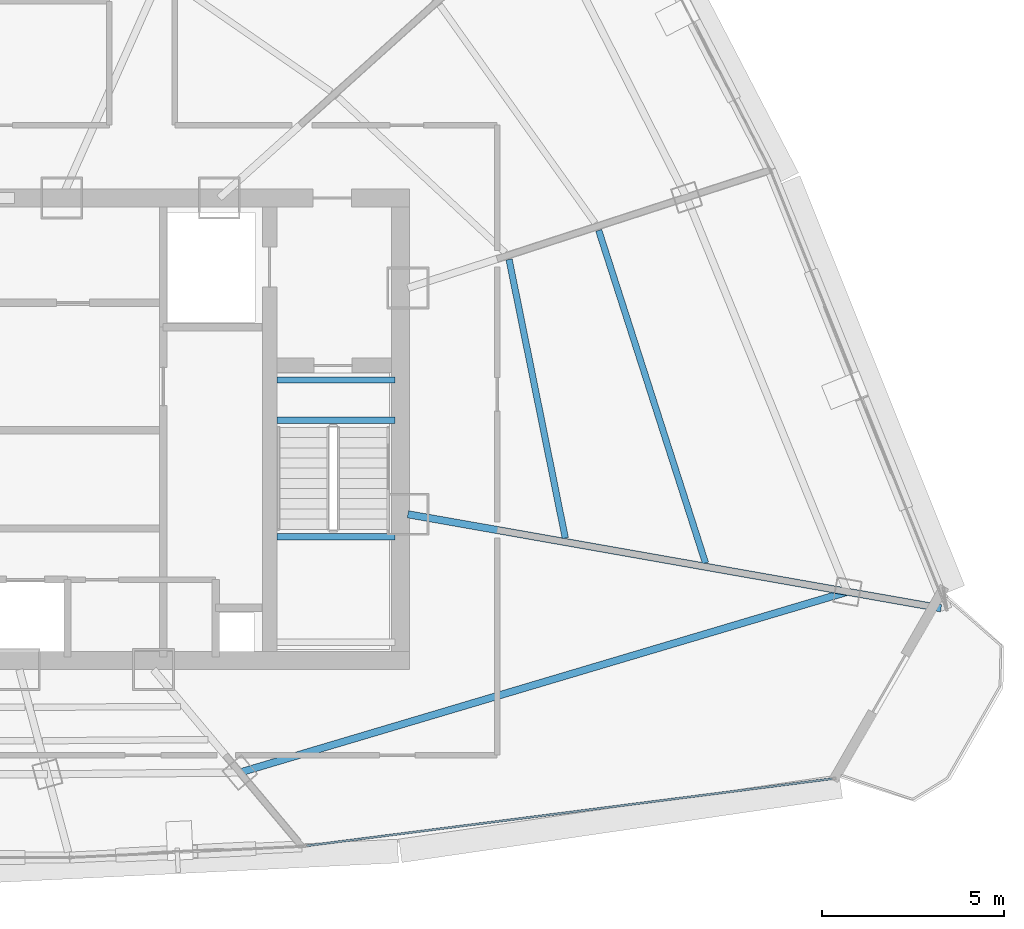
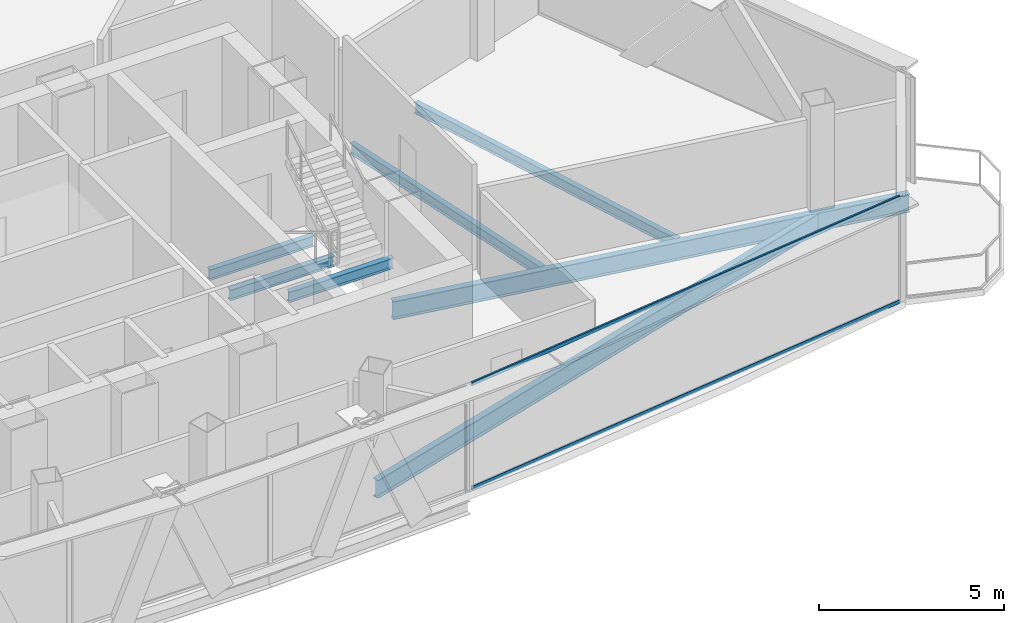
# One storey, part 12 of 30: 7 beams, 2 members, 1 element without a shape of its own.
"""IFC4 building model written with IfcOpenShell, lengths in metres."""

from ifc_helpers import new_model, si_unit, direction, frame, origin, origin_2d, place, context, subcontext, project, spatial, hollow_rectangle, i_section, extrude, source, transform, mapped, material, layer, layer_set, material_profile, profile_set, type_object, element, aggregate, save


model = new_model("IFC4")

# Units and contexts
model_context = context("Model", 3, precision=1e-05, world=origin(), true_north=direction((0.0, 1.0)))
body_context = subcontext(model_context, "Body", "Model", "MODEL_VIEW")
ifc_project = project(units=[si_unit("LENGTHUNIT", "METRE"), si_unit("AREAUNIT", "SQUARE_METRE"), si_unit("VOLUMEUNIT", "CUBIC_METRE"), si_unit("PLANEANGLEUNIT", "RADIAN"), si_unit("MASSUNIT", "GRAM", prefix="KILO"), si_unit("THERMODYNAMICTEMPERATUREUNIT", "KELVIN"), si_unit("POWERUNIT", "WATT")], contexts=[model_context])

# Site, building, storey
site_placement = place(None, origin())
site = spatial("IfcSite", under=ifc_project, at=site_placement, CompositionType="ELEMENT")
building_placement = place(site_placement, origin())
building = spatial("IfcBuilding", under=site, at=building_placement, Name="Yunzhuo Pagoda Commons", CompositionType="ELEMENT")
storey_placement = place(building_placement, frame((0.0, 0.0, 355.510009765625)))
storey = spatial("IfcBuildingStorey", under=building, at=storey_placement, Name="L89", CompositionType="ELEMENT", Elevation=355.510009765625)

# Beams
ifc_material_1 = material(Name="Structural steel Q355B", Category="steel")
ifc_material_profile_1 = material_profile(ifc_material_1, i_section(OverallWidth=0.175048828125, OverallDepth=0.35009765625, WebThickness=0.007080078125, FlangeThickness=0.010986328125, at=origin_2d()), Name="Structural steel Q355B")
ifc_profile_set_1 = profile_set([ifc_material_profile_1], Name="Structural steel Q355B")
beam_type_1 = type_object("IfcBeamType", Name="B-JS2 Joist HN 350x175x7x11", PredefinedType="JOIST", material=ifc_profile_set_1)
shared_shape_1 = source(origin(), body_context, "Body", "SweptSolid", [
    extrude(i_section(OverallWidth=0.175048828125, OverallDepth=0.35009765625, WebThickness=0.007080078125, FlangeThickness=0.010986328125, at=origin_2d()), origin(), (0.0, 0.0, 1.0), 3.25),
])
for number, where, z_axis, x_axis, name in (
    (1, (56.800048828125, 30.89990234375, 1.5), (1.0, 0.0, 0.0), (0.0, 1.0, 0.0), "L89 ST2 landing support beam 95B"),
    (2, (56.800048828125, 34.10009765625, -0.375), (1.0, 0.0, 0.0), (0.0, 1.0, 0.0), "L89 ST2 landing support beam 193A"),
    (3, (56.800048828125, 35.199951171875, -0.375), (1.0, 0.0, 0.0), (0.0, 1.0, 0.0), "L89 ST2 landing support beam 193B"),
):
    element("IfcBeam", number, at=place(storey_placement, frame(where, z_axis=z_axis, x_axis=x_axis)), inside=storey, type_object=beam_type_1, Name=name, PredefinedType="JOIST", context=body_context, shape_type="MappedRepresentation", body=[
        mapped(shared_shape_1, transform((0.0, 0.0, 0.0), scale=1.0)),
    ])
ifc_material_profile_2 = material_profile(ifc_material_1, i_section(OverallWidth=0.199951171875, OverallDepth=0.60009765625, WebThickness=0.010986328125, FlangeThickness=0.01708984375, at=origin_2d()), Name="Structural steel Q355B")
ifc_profile_set_2 = profile_set([ifc_material_profile_2], Name="Structural steel Q355B")
beam_type_2 = type_object("IfcBeamType", Name="B-RG3 Beam HN 600x200x11x17", PredefinedType="BEAM", material=ifc_profile_set_2)
shared_shape_2 = source(origin(), body_context, "Body", "SweptSolid", [
    extrude(i_section(OverallWidth=0.199951171875, OverallDepth=0.60009765625, WebThickness=0.010986328125, FlangeThickness=0.01708984375, at=origin_2d()), origin(), (0.0, 0.0, 1.0), 17.407470703125),
])
beam_1_placement = place(storey_placement, frame((55.785400390625, 24.421630859375, -0.56005859375), z_axis=(0.958484984609, 0.285143006717, 0.0), x_axis=(-0.285143006717, 0.958484984609, 0.0)))
element("IfcBeam", 4, at=beam_1_placement, inside=storey, type_object=beam_type_2, Name="L89 column-ring beam 4", PredefinedType="BEAM", context=body_context, shape_type="MappedRepresentation", body=[
    mapped(shared_shape_2, transform((0.0, 0.0, 0.0), scale=1.0)),
])
shared_shape_3 = source(origin(), body_context, "Body", "SweptSolid", [
    extrude(i_section(OverallWidth=0.175048828125, OverallDepth=0.35009765625, WebThickness=0.007080078125, FlangeThickness=0.010986328125, at=origin_2d()), origin(), (0.0, 0.0, 1.0), 7.8056640625),
])
beam_2_placement = place(storey_placement, frame((64.722412109375, 30.860107421875, -0.43505859375), z_axis=(-0.197830082137, 0.980236327934, 0.0), x_axis=(-0.980236327934, -0.197830082137, 0.0)))
element("IfcBeam", 5, at=beam_2_placement, inside=storey, type_object=beam_type_1, Name="L89 composite ring joist 1.5", PredefinedType="JOIST", context=body_context, shape_type="MappedRepresentation", body=[
    mapped(shared_shape_3, transform((0.0, 0.0, 0.0), scale=1.0)),
])
shared_shape_4 = source(origin(), body_context, "Body", "SweptSolid", [
    extrude(i_section(OverallWidth=0.175048828125, OverallDepth=0.35009765625, WebThickness=0.007080078125, FlangeThickness=0.010986328125, at=origin_2d()), origin(), (0.0, 0.0, 1.0), 9.593994140625),
])
beam_3_placement = place(storey_placement, frame((68.572509765625, 30.17578125, -0.43505859375), z_axis=(-0.305719218499, 0.952121714614, 0.0), x_axis=(-0.952121714614, -0.305719218499, 0.0)))
element("IfcBeam", 6, at=beam_3_placement, inside=storey, type_object=beam_type_1, Name="L89 composite ring joist 2.5", PredefinedType="JOIST", context=body_context, shape_type="MappedRepresentation", body=[
    mapped(shared_shape_4, transform((0.0, 0.0, 0.0), scale=1.0)),
])
shared_shape_5 = source(origin(), body_context, "Body", "SweptSolid", [
    extrude(i_section(OverallWidth=0.199951171875, OverallDepth=0.60009765625, WebThickness=0.010986328125, FlangeThickness=0.01708984375, at=origin_2d()), origin(), (0.0, 0.0, 1.0), 14.866943359375),
])
beam_4_placement = place(storey_placement, frame((75.041015625, 28.931884765625, -0.56005859375), z_axis=(-0.984808677013, 0.173642937314, 0.0), x_axis=(-0.173642937314, -0.984808677013, 0.0)))
element("IfcBeam", 7, at=beam_4_placement, inside=storey, type_object=beam_type_2, Name="L89 radial floor girder F2C1", PredefinedType="BEAM", context=body_context, shape_type="MappedRepresentation", body=[
    mapped(shared_shape_5, transform((0.0, 0.0, 0.0), scale=1.0)),
])

# Curtain wall, members
ifc_material_2 = material(Name="Anodized aluminium 6063-T6", Category="aluminium")
ifc_layer = layer(ifc_material_2, 0.139892578125)
ifc_layer_set = layer_set([ifc_layer], Name="Anodized aluminium 6063-T6")
curtain_wall_type = type_object("IfcCurtainWallType", Name="CW-HI High-Zone Ribbon Curtain Wall", PredefinedType="NOTDEFINED", material=ifc_layer_set)
curtain_wall_placement = place(storey_placement, origin())
curtain_wall = element("IfcCurtainWall", 8, at=curtain_wall_placement, inside=storey, type_object=curtain_wall_type, Name="L89 curtain wall CW-L89-F1B5", PredefinedType="NOTDEFINED")
ifc_material_profile_3 = material_profile(ifc_material_2, hollow_rectangle(XDim=0.054931640625, YDim=0.1201171875, WallThickness=0.00341796875, at=origin_2d()), Name="Anodized aluminium 6063-T6")
ifc_profile_set_3 = profile_set([ifc_material_profile_3], Name="Anodized aluminium 6063-T6")
member_type = type_object("IfcMemberType", Name="CW-HI-T Transom RHS 120x55x3.5", PredefinedType="USERDEFINED", material=ifc_profile_set_3)
shared_shape_6 = source(origin(), body_context, "Body", "SweptSolid", [
    extrude(hollow_rectangle(XDim=0.054931640625, YDim=0.1201171875, WallThickness=0.00341796875, at=origin_2d()), origin(), (0.0, 0.0, 1.0), 14.54931640625),
])
member_1_placement = place(storey_placement, frame((57.621337890625, 22.410400390625, 0.027587890625), z_axis=(0.991959463603, 0.126556005658, 0.0), x_axis=(-0.126556005658, 0.991959463603, 0.0)))
member_1 = element("IfcMember", 9, at=member_1_placement, type_object=member_type, Name="CW transom 1.1", ObjectType="TRANSOM", PredefinedType="USERDEFINED", context=body_context, shape_type="MappedRepresentation", body=[
    mapped(shared_shape_6, transform((0.0, 0.0, 0.0), scale=1.0)),
])
member_2_placement = place(storey_placement, frame((57.621337890625, 22.410400390625, 3.46240234375), z_axis=(0.991959463603, 0.126556005658, 0.0), x_axis=(-0.126556005658, 0.991959463603, 0.0)))
member_2 = element("IfcMember", 10, at=member_2_placement, type_object=member_type, Name="CW transom 1.2", ObjectType="TRANSOM", PredefinedType="USERDEFINED", context=body_context, shape_type="MappedRepresentation", body=[
    mapped(shared_shape_6, transform((0.0, 0.0, 0.0), scale=1.0)),
])
aggregate(curtain_wall, [member_1, member_2])

save(model, "model.ifc")
